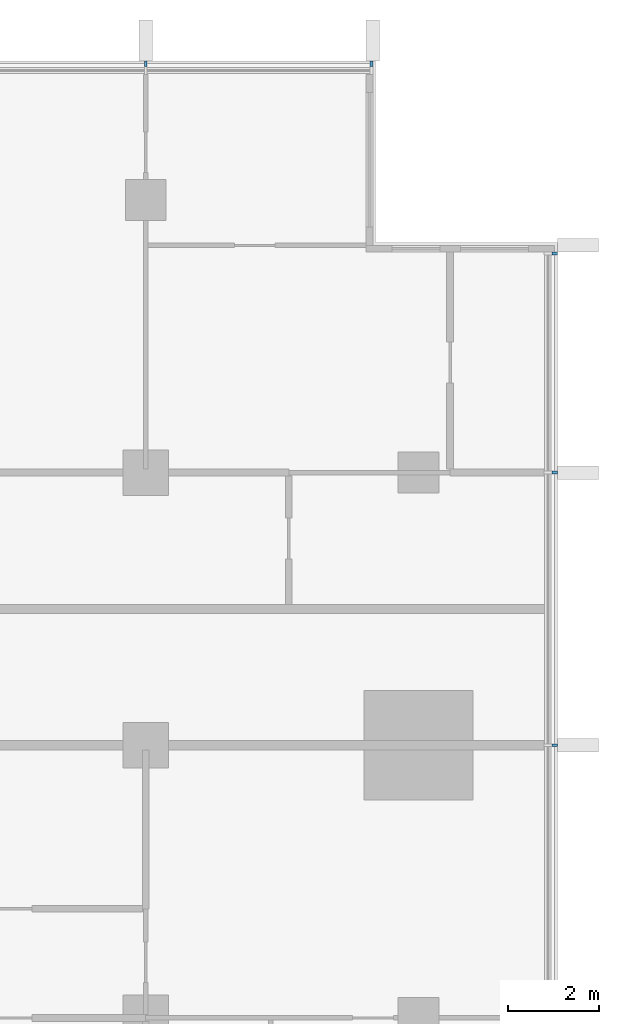
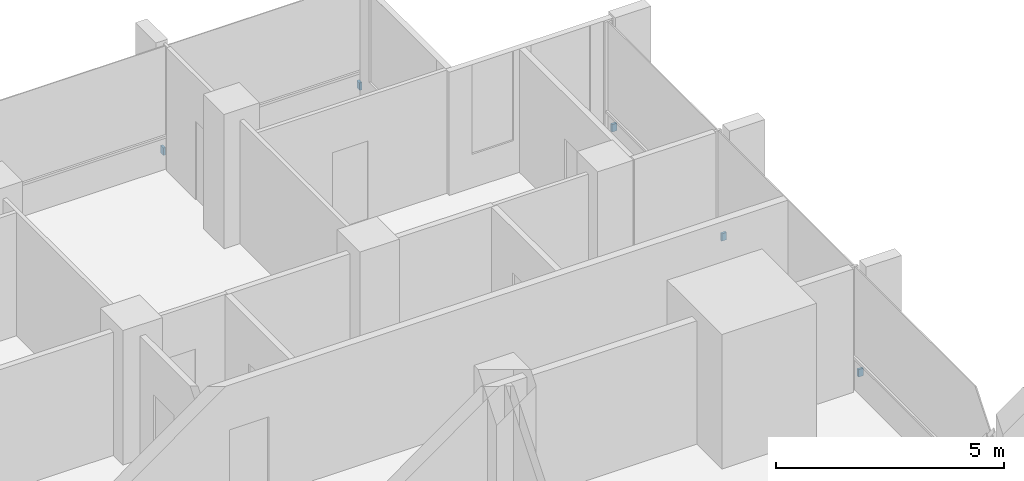
# One storey, part 16 of 17: 5 discrete accessories.
"""IFC4 building model written with IfcOpenShell, lengths in metres."""

from ifc_helpers import new_model, si_unit, direction, frame, origin, origin_2d, place, context, subcontext, project, spatial, rectangle, extrude, material, type_object, element, save


model = new_model("IFC4")

# Units and contexts
model_context = context("Model", 3, precision=1e-05, world=origin(), true_north=direction((0.0, 1.0)))
body_context = subcontext(model_context, "Body", "Model", "MODEL_VIEW")
ifc_project = project(units=[si_unit("LENGTHUNIT", "METRE"), si_unit("AREAUNIT", "SQUARE_METRE"), si_unit("VOLUMEUNIT", "CUBIC_METRE"), si_unit("PLANEANGLEUNIT", "RADIAN"), si_unit("MASSUNIT", "GRAM", prefix="KILO")], contexts=[model_context])

# Site, building, storey
site_placement = place(None, origin())
site = spatial("IfcSite", under=ifc_project, at=site_placement, CompositionType="ELEMENT")
building_placement = place(site_placement, origin())
building = spatial("IfcBuilding", under=site, at=building_placement, Name="Finial Court Residences", CompositionType="ELEMENT")
storey_placement = place(building_placement, frame((0.0, 0.0, 174.5)))
storey = spatial("IfcBuildingStorey", under=building, at=storey_placement, Name="L43", CompositionType="ELEMENT", Elevation=174.5)

# Discrete accessories
ifc_material = material(Name="Stainless steel 316", Category="steel")
discrete_accessory_type = type_object("IfcDiscreteAccessoryType", Name="Fin bracket, stainless steel 60 x 122 x 200", PredefinedType="BRACKET", material=ifc_material)
for number, where, z_axis, x_axis, name in (
    (1, (10.5, 22.498779296875, 0.2998046875), (0.0, 0.0, 1.0), (1.0, 0.0, 0.0), "E-L43-FIN-N5-BRK"),
    (2, (15.469970703125, 22.498779296875, 0.2998046875), (0.0, 0.0, 1.0), (1.0, 0.0, 0.0), "E-L43-FIN-N6-BRK"),
):
    element("IfcDiscreteAccessory", number, at=place(storey_placement, frame(where, z_axis=z_axis, x_axis=x_axis)), inside=storey, type_object=discrete_accessory_type, Name=name, PredefinedType="BRACKET", context=body_context, shape_type="SweptSolid", body=[
        extrude(rectangle(XDim=0.06005859375, YDim=0.12255859375, at=origin_2d()), origin(), (0.0, 0.0, 1.0), 0.199951171875),
    ])
for number, where, z_axis, x_axis, name in (
    (3, (19.498779296875, 7.5, 0.2998046875), (0.0, 0.0, 1.0), (1.0, 0.0, 0.0), "E-L43-FIN-E11-BRK"),
    (4, (19.498779296875, 13.5, 0.2998046875), (0.0, 0.0, 1.0), (1.0, 0.0, 0.0), "E-L43-FIN-E12-BRK"),
    (5, (19.498779296875, 18.320068359375, 0.2998046875), (0.0, 0.0, 1.0), (1.0, 0.0, 0.0), "E-L43-FIN-E13-BRK"),
):
    element("IfcDiscreteAccessory", number, at=place(storey_placement, frame(where, z_axis=z_axis, x_axis=x_axis)), inside=storey, type_object=discrete_accessory_type, Name=name, PredefinedType="BRACKET", context=body_context, shape_type="SweptSolid", body=[
        extrude(rectangle(XDim=0.12255859375, YDim=0.06005859375, at=origin_2d()), origin(), (0.0, 0.0, 1.0), 0.199951171875),
    ])

save(model, "model.ifc")
